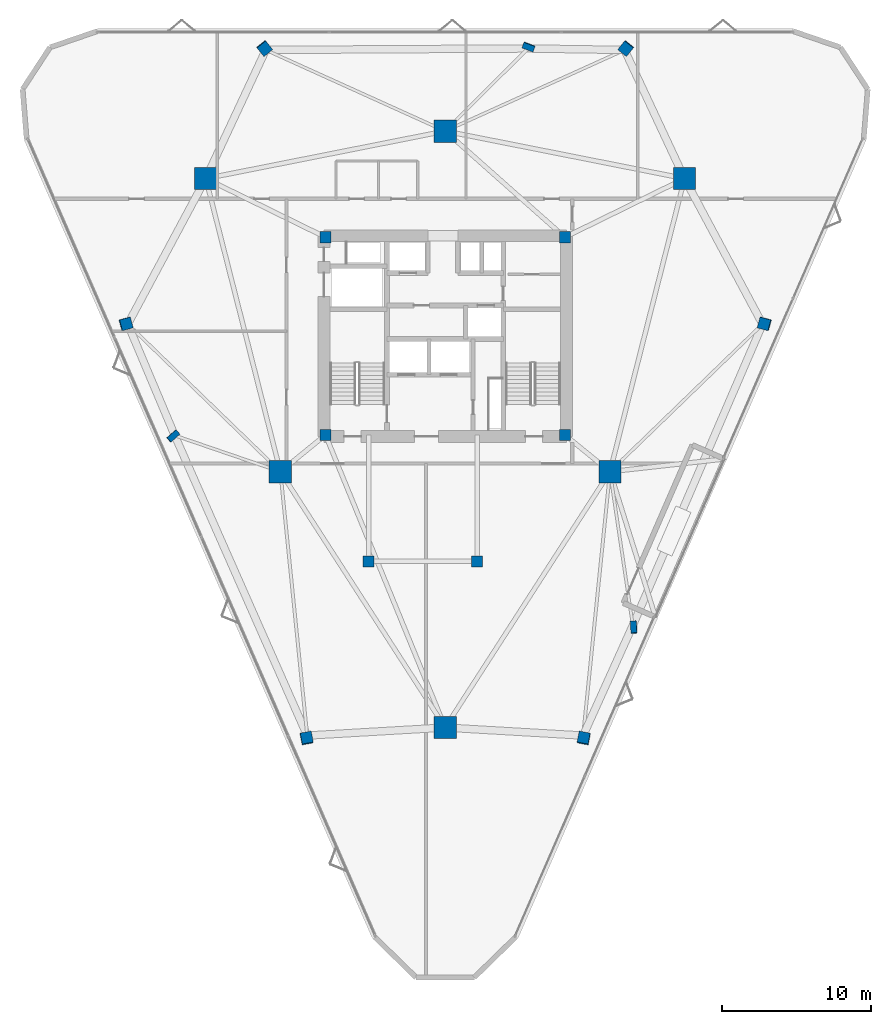
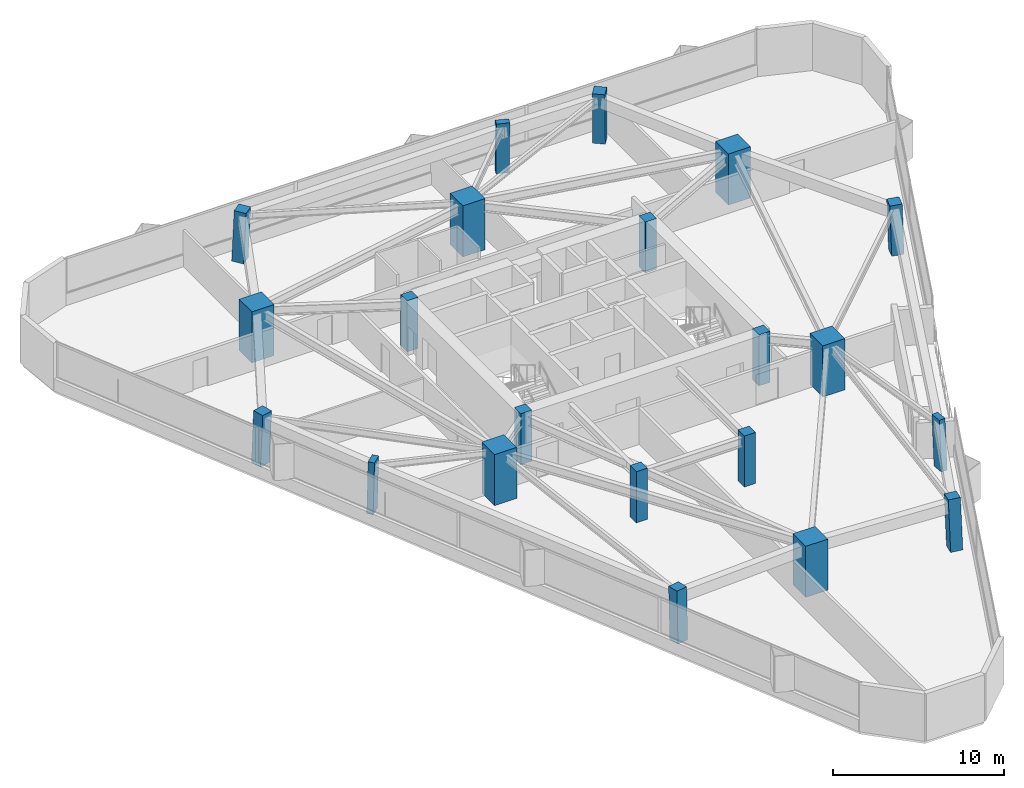
# One storey, part 1 of 11: 21 columns.
"""IFC4 building model written with IfcOpenShell, lengths in metres."""

from ifc_helpers import new_model, si_unit, direction, frame, origin, origin_2d, place, context, subcontext, project, spatial, rectangle, extrude, material, material_profile, profile_set, type_object, element, save


model = new_model("IFC4")

# Units and contexts
model_context = context("Model", 3, precision=1e-05, world=origin(), true_north=direction((0.0, 1.0)))
body_context = subcontext(model_context, "Body", "Model", "MODEL_VIEW")
ifc_project = project(units=[si_unit("LENGTHUNIT", "METRE"), si_unit("AREAUNIT", "SQUARE_METRE"), si_unit("VOLUMEUNIT", "CUBIC_METRE"), si_unit("PLANEANGLEUNIT", "RADIAN"), si_unit("MASSUNIT", "GRAM", prefix="KILO")], contexts=[model_context])

# Site, building, storey
site_placement = place(None, origin())
site = spatial("IfcSite", under=ifc_project, at=site_placement, CompositionType="ELEMENT")
building_placement = place(site_placement, origin())
building = spatial("IfcBuilding", under=site, at=building_placement, Name="Talyreon Biosciences Tower", CompositionType="ELEMENT")
storey_placement = place(building_placement, frame((0.0, 0.0, 149.10009765625)))
storey = spatial("IfcBuildingStorey", under=building, at=storey_placement, Name="L39", CompositionType="ELEMENT", Elevation=149.10009765625)

# Columns
ifc_material_1 = material(Name="Precast concrete C45/55", Category="concrete")
ifc_material_profile_1 = material_profile(ifc_material_1, rectangle(XDim=0.800048828125, YDim=0.39990234375, at=origin_2d()), Name="RC 800x400")
ifc_profile_set_1 = profile_set([ifc_material_profile_1], Name="Precast concrete C45/55")
column_type_1 = type_object("IfcColumnType", Name="FacadePilaster_800x400", PredefinedType="PILASTER", material=ifc_profile_set_1)
column_1_placement = place(storey_placement, frame((78.693115234375, 48.399658203125, 0.0029296875), z_axis=(-0.019612004119, 0.038286915892, 0.999074312234), x_axis=(0.061780737122, -0.99731050874, 0.03943208944)))
element("IfcColumn", 1, at=column_1_placement, inside=storey, type_object=column_type_1, Name="L39 Facade Pilaster PL-SE", PredefinedType="PILASTER", context=body_context, shape_type="SweptSolid", body=[
    extrude(rectangle(XDim=0.800048828125, YDim=0.39990234375, at=origin_2d()), origin(), (0.0, 0.0, 1.0), 3.6474609375),
])
column_2_placement = place(storey_placement, frame((71.6142578125, 87.469482421875, 0.0029296875), z_axis=(-0.012453496874, -0.033544096418, 0.99935964698), x_axis=(-0.937477612418, 0.348045580658, 0.0)))
element("IfcColumn", 2, at=column_2_placement, inside=storey, type_object=column_type_1, Name="L39 Facade Pilaster PL-N", PredefinedType="PILASTER", context=body_context, shape_type="SweptSolid", body=[
    extrude(rectangle(XDim=0.800048828125, YDim=0.39990234375, at=origin_2d()), origin(), (0.0, 0.0, 1.0), 3.646484375),
])
column_3_placement = place(storey_placement, frame((47.692626953125, 61.27490234375, 0.0029296875), z_axis=(0.032006476949, 0.010512587617, 0.999432374368), x_axis=(0.745657597589, 0.665613347438, -0.030880720032)))
element("IfcColumn", 3, at=column_3_placement, inside=storey, type_object=column_type_1, Name="L39 Facade Pilaster PL-SW", PredefinedType="PILASTER", context=body_context, shape_type="SweptSolid", body=[
    extrude(rectangle(XDim=0.800048828125, YDim=0.39990234375, at=origin_2d()), origin(), (0.0, 0.0, 1.0), 3.64599609375),
])
ifc_material_2 = material(Name="Concrete C60/75", Category="concrete")
ifc_material_profile_2 = material_profile(ifc_material_2, rectangle(XDim=1.5, YDim=1.5, at=origin_2d()), Name="RC 1500x1500")
ifc_profile_set_2 = profile_set([ifc_material_profile_2], Name="Concrete C60/75")
column_type_2 = type_object("IfcColumnType", Name="MegaColumn_1500", PredefinedType="COLUMN", material=ifc_profile_set_2)
for number, where, z_axis, x_axis, name in (
    (4, (66.0, 41.6669921875, 0.0), (0.0, 0.0, 1.0), (1.0, 0.0, 0.0), "L39 Composite Mega-Column MC1"),
    (5, (82.102294921875, 78.5986328125, 0.0), (0.0, 0.0, 1.0), (1.0, 0.0, 0.0), "L39 Composite Mega-Column MC2"),
    (6, (49.897705078125, 78.5986328125, 0.0), (0.0, 0.0, 1.0), (1.0, 0.0, 0.0), "L39 Composite Mega-Column MC3"),
    (7, (77.086181640625, 58.88037109375, 0.0), (0.0, 0.0, 1.0), (1.0, 0.0, 0.0), "L39 Composite Mega-Column MC4"),
    (8, (66.0, 81.788818359375, 0.0), (0.0, 0.0, 1.0), (1.0, 0.0, 0.0), "L39 Composite Mega-Column MC5"),
    (9, (54.913818359375, 58.88037109375, 0.0), (0.0, 0.0, 1.0), (1.0, 0.0, 0.0), "L39 Composite Mega-Column MC6"),
):
    element("IfcColumn", number, at=place(storey_placement, frame(where, z_axis=z_axis, x_axis=x_axis)), inside=storey, type_object=column_type_2, Name=name, PredefinedType="COLUMN", context=body_context, shape_type="SweptSolid", body=[
        extrude(rectangle(XDim=1.5, YDim=1.5, at=origin_2d()), origin(), (0.0, 0.0, 1.0), 3.64990234375),
    ])
ifc_material_3 = material(Name="Concrete C50/60", Category="concrete")
ifc_material_profile_3 = material_profile(ifc_material_3, rectangle(XDim=0.75, YDim=0.75, at=origin_2d()), Name="RC 750x750")
ifc_profile_set_3 = profile_set([ifc_material_profile_3], Name="Concrete C50/60")
column_type_3 = type_object("IfcColumnType", Name="PerimeterColumn_750", PredefinedType="COLUMN", material=ifc_profile_set_3)
for number, where, z_axis, x_axis, name in (
    (10, (57.949951171875, 61.35009765625, 0.0), (0.0, 0.0, 1.0), (1.0, 0.0, 0.0), "L39 Core Column CC1"),
    (11, (74.050048828125, 61.35009765625, 0.0), (0.0, 0.0, 1.0), (1.0, 0.0, 0.0), "L39 Core Column CC2"),
    (12, (74.050048828125, 74.64990234375, 0.0), (0.0, 0.0, 1.0), (1.0, 0.0, 0.0), "L39 Core Column CC3"),
    (13, (57.949951171875, 74.64990234375, 0.0), (0.0, 0.0, 1.0), (1.0, 0.0, 0.0), "L39 Core Column CC4"),
    (14, (60.85009765625, 52.840087890625, 0.0), (0.0, 0.0, 1.0), (1.0, 0.0, 0.0), "L39 Core Column CSW"),
    (15, (68.14990234375, 52.840087890625, 0.0), (0.0, 0.0, 1.0), (1.0, 0.0, 0.0), "L39 Core Column CSE"),
):
    element("IfcColumn", number, at=place(storey_placement, frame(where, z_axis=z_axis, x_axis=x_axis)), inside=storey, type_object=column_type_3, Name=name, PredefinedType="COLUMN", context=body_context, shape_type="SweptSolid", body=[
        extrude(rectangle(XDim=0.75, YDim=0.75, at=origin_2d()), origin(), (0.0, 0.0, 1.0), 3.64990234375),
    ])
column_4_placement = place(storey_placement, frame((75.32666015625, 40.92919921875, 0.0029296875), z_axis=(-0.012375141264, 0.054450621561, 0.998439775695), x_axis=(-0.186922165753, -0.981040369671, 0.05118492967)))
element("IfcColumn", 16, at=column_4_placement, inside=storey, type_object=column_type_3, Name="L39 Tapering Perimeter Column PC-SE1", PredefinedType="COLUMN", context=body_context, shape_type="SweptSolid", body=[
    extrude(rectangle(XDim=0.75, YDim=0.75, at=origin_2d()), origin(), (0.0, 0.0, 1.0), 3.649658203125),
])
column_5_placement = place(storey_placement, frame((87.490478515625, 68.825439453125, 0.0029296875), z_axis=(-0.039229493406, -0.00569028488, 0.999214024874), x_axis=(0.963817976871, -0.264073100935, 0.036335998986)))
element("IfcColumn", 17, at=column_5_placement, inside=storey, type_object=column_type_3, Name="L39 Tapering Perimeter Column PC-SE2", PredefinedType="COLUMN", context=body_context, shape_type="SweptSolid", body=[
    extrude(rectangle(XDim=0.75, YDim=0.75, at=origin_2d()), origin(), (0.0, 0.0, 1.0), 3.64697265625),
])
for number, where, z_axis, x_axis, name in (
    (18, (78.1640625, 87.369384765625, 0.0029296875), (-0.026907963191, -0.033534551141, 0.999075270136), (-0.779956681152, 0.625833504637, 0.0), "L39 Tapering Perimeter Column PC-N1"),
    (19, (53.8359375, 87.369384765625, 0.0029296875), (0.026907963191, -0.033534551141, 0.999075270136), (-0.779956681152, -0.625833504637, 0.0), "L39 Tapering Perimeter Column PC-N2"),
):
    element("IfcColumn", number, at=place(storey_placement, frame(where, z_axis=z_axis, x_axis=x_axis)), inside=storey, type_object=column_type_3, Name=name, PredefinedType="COLUMN", context=body_context, shape_type="SweptSolid", body=[
        extrude(rectangle(XDim=0.75, YDim=0.75, at=origin_2d()), origin(), (0.0, 0.0, 1.0), 3.6474609375),
    ])
column_6_placement = place(storey_placement, frame((44.509521484375, 68.825439453125, 0.0029296875), z_axis=(0.039229493406, -0.00569028488, 0.999214024874), x_axis=(0.963817976871, 0.264073100935, -0.036335998986)))
element("IfcColumn", 20, at=column_6_placement, inside=storey, type_object=column_type_3, Name="L39 Tapering Perimeter Column PC-SW1", PredefinedType="COLUMN", context=body_context, shape_type="SweptSolid", body=[
    extrude(rectangle(XDim=0.75, YDim=0.75, at=origin_2d()), origin(), (0.0, 0.0, 1.0), 3.64697265625),
])
column_7_placement = place(storey_placement, frame((56.67333984375, 40.92919921875, 0.0029296875), z_axis=(0.012375141264, 0.054450621561, 0.998439775695), x_axis=(-0.186922165753, 0.981040369671, -0.05118492967)))
element("IfcColumn", 21, at=column_7_placement, inside=storey, type_object=column_type_3, Name="L39 Tapering Perimeter Column PC-SW2", PredefinedType="COLUMN", context=body_context, shape_type="SweptSolid", body=[
    extrude(rectangle(XDim=0.75, YDim=0.75, at=origin_2d()), origin(), (0.0, 0.0, 1.0), 3.649658203125),
])

save(model, "model.ifc")
